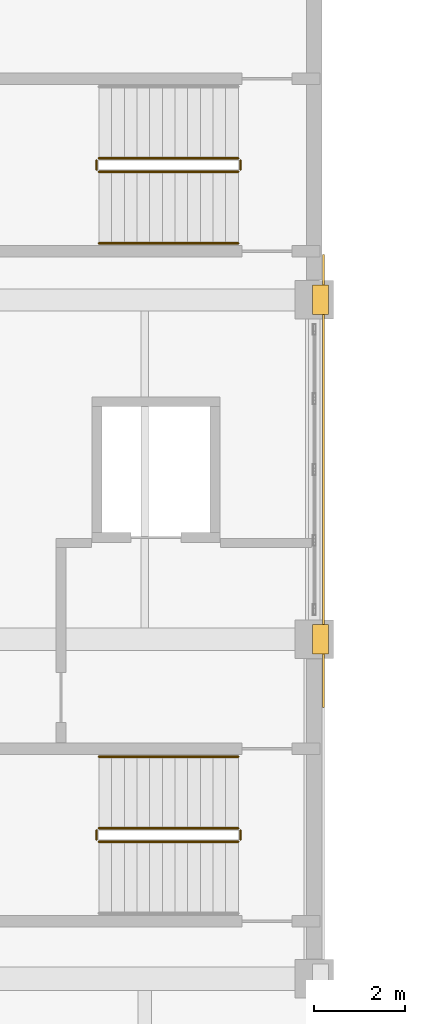
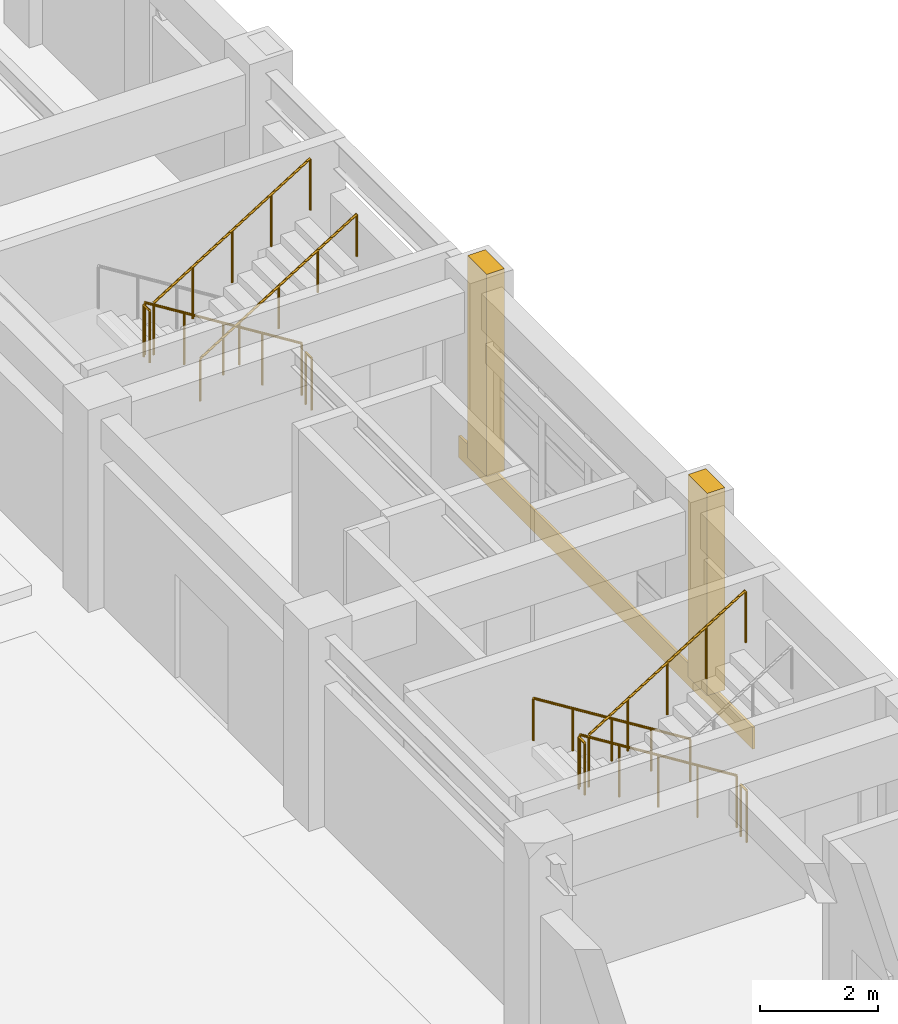
# One storey, part 123 of 132: 10 railings, 3 coverings.
"""IFC4 building model written with IfcOpenShell, lengths in metres."""

from ifc_helpers import new_model, si_unit, direction, frame, origin, origin_2d, place, context, subcontext, project, spatial, rectangle, circle, extrude, material, layer, layer_set, type_object, element, save


model = new_model("IFC4")

# Units and contexts
model_context = context("Model", 3, precision=1e-05, world=origin(), true_north=direction((0.0, 1.0)))
body_context = subcontext(model_context, "Body", "Model", "MODEL_VIEW")
ifc_project = project(units=[si_unit("LENGTHUNIT", "METRE"), si_unit("AREAUNIT", "SQUARE_METRE"), si_unit("VOLUMEUNIT", "CUBIC_METRE"), si_unit("PLANEANGLEUNIT", "RADIAN"), si_unit("MASSUNIT", "GRAM", prefix="KILO")], contexts=[model_context])

# Site, building, storey
site_placement = place(None, origin())
site = spatial("IfcSite", under=ifc_project, at=site_placement, CompositionType="ELEMENT")
building_placement = place(site_placement, origin())
building = spatial("IfcBuilding", under=site, at=building_placement, Name="Qasida Concert Hall", CompositionType="ELEMENT")
storey_placement = place(building_placement, frame((0.0, 0.0, 4.800048828125)))
storey = spatial("IfcBuildingStorey", under=building, at=storey_placement, Name="L01", CompositionType="ELEMENT", Elevation=4.800048828125)

# Coverings
ifc_material_1 = material(Name="Glazed Levantine geometric terracotta spandrel relief", Category="masonry")
ifc_layer_1 = layer(ifc_material_1, 0.050048828125, Name="Glazed Levantine geometric terracotta spandrel relief")
ifc_layer_set_1 = layer_set([ifc_layer_1], Name="Glazed Levantine geometric terracotta spandrel relief")
covering_type_1 = type_object("IfcCoveringType", Name="CV-CL-1", PredefinedType="CLADDING", material=ifc_layer_set_1)
covering_placement = place(storey_placement, frame((105.199951171875, 56.0, -0.47509765625), z_axis=(0.0, 0.0, 1.0), x_axis=(1.0, 0.0, 0.0)))
element("IfcCovering", 1, at=covering_placement, inside=storey, type_object=covering_type_1, Name="L01 terracotta spandrel frieze E01", PredefinedType="CLADDING", context=body_context, shape_type="SweptSolid", body=[
    extrude(rectangle(XDim=0.050048828125, YDim=10.0, at=origin_2d()), origin(), (0.0, 0.0, 1.0), 0.449951171875),
])
ifc_material_2 = material(Name="Projecting fluted Lebanese limestone Art Deco pilaster", Category="masonry")
ifc_layer_2 = layer(ifc_material_2, 0.35009765625, Name="Projecting fluted Lebanese limestone Art Deco pilaster")
ifc_layer_set_2 = layer_set([ifc_layer_2], Name="Projecting fluted Lebanese limestone Art Deco pilaster")
covering_type_2 = type_object("IfcCoveringType", Name="CV-PIL-650", PredefinedType="CLADDING", material=ifc_layer_set_2)
for number, where, z_axis, x_axis, name in (
    (2, (105.135009765625, 52.5, 0.0), (0.0, 0.0, 1.0), (1.0, 0.0, 0.0), "L01 fluted limestone pilaster 0051"),
    (3, (105.135009765625, 60.0, 0.0), (0.0, 0.0, 1.0), (1.0, 0.0, 0.0), "L01 fluted limestone pilaster 0065"),
):
    element("IfcCovering", number, at=place(storey_placement, frame(where, z_axis=z_axis, x_axis=x_axis)), inside=storey, type_object=covering_type_2, Name=name, PredefinedType="CLADDING", context=body_context, shape_type="SweptSolid", body=[
        extrude(rectangle(XDim=0.35009765625, YDim=0.64990234375, at=origin_2d()), origin(), (0.0, 0.0, 1.0), 4.199951171875),
    ])

# Railings
ifc_material_3 = material(Name="Patinated architectural bronze and laminated glass infill", Category="glass")
ifc_layer_3 = layer(ifc_material_3, 0.080078125, Name="Patinated architectural bronze and laminated glass infill")
ifc_layer_set_3 = layer_set([ifc_layer_3], Name="Patinated architectural bronze and laminated glass infill")
railing_type_1 = type_object("IfcRailingType", Name="RL-GRD-1100", PredefinedType="GUARDRAIL", material=ifc_layer_set_3)
railing_1_placement = place(storey_placement, frame((103.320068359375, 48.330078125, 0.175048828125)))
element("IfcRailing", 4, at=railing_1_placement, inside=storey, type_object=railing_type_1, Name="L01 ST-02 stair guard 1", PredefinedType="GUARDRAIL", context=body_context, shape_type="SweptSolid", body=[
    extrude(circle(Radius=0.02392578125, at=origin_2d()), frame((0.0, 0.0, 1.076171875), z_axis=(-0.848028513186, 0.0, 0.529950602248), x_axis=(0.0, -1.0, 0.0)), (0.0, 0.0, 1.0), 3.632080078125),
    extrude(circle(Radius=0.02099609375, at=origin_2d()), origin(), (0.0, 0.0, 1.0), 1.052001953125),
    extrude(circle(Radius=0.02099609375, at=origin_2d()), frame((-0.77001953125, 0.0, 0.481201171875)), (0.0, 0.0, 1.0), 1.052001953125),
    extrude(circle(Radius=0.02099609375, at=origin_2d()), frame((-1.5400390625, 0.0, 0.96240234375)), (0.0, 0.0, 1.0), 1.052001953125),
    extrude(circle(Radius=0.02099609375, at=origin_2d()), frame((-2.31005859375, 0.0, 1.443603515625)), (0.0, 0.0, 1.0), 1.052001953125),
    extrude(circle(Radius=0.02099609375, at=origin_2d()), frame((-3.080078125, 0.0, 1.9248046875)), (0.0, 0.0, 1.0), 1.052001953125),
])
railing_2_placement = place(storey_placement, frame((100.18994140625, 48.280029296875, 2.099853515625)))
element("IfcRailing", 5, at=railing_2_placement, inside=storey, type_object=railing_type_1, Name="L01 ST-02 stair guard 2", PredefinedType="GUARDRAIL", context=body_context, shape_type="SweptSolid", body=[
    extrude(circle(Radius=0.02392578125, at=origin_2d()), frame((0.0, 0.0, 1.076171875), z_axis=(0.0, -1.0, 0.0), x_axis=(1.0, 0.0, 0.0)), (0.0, 0.0, 1.0), 0.199951171875),
    extrude(circle(Radius=0.02099609375, at=origin_2d()), origin(), (0.0, 0.0, 1.0), 1.052001953125),
    extrude(circle(Radius=0.02099609375, at=origin_2d()), frame((0.0, -0.199951171875, 0.0)), (0.0, 0.0, 1.0), 1.052001953125),
])
railing_3_placement = place(storey_placement, frame((100.239990234375, 48.030029296875, 2.27490234375)))
element("IfcRailing", 6, at=railing_3_placement, inside=storey, type_object=railing_type_1, Name="L01 ST-02 stair guard 3", PredefinedType="GUARDRAIL", context=body_context, shape_type="SweptSolid", body=[
    extrude(circle(Radius=0.02392578125, at=origin_2d()), frame((0.0, 0.0, 1.076171875), z_axis=(0.847998304005, 0.0, 0.529998940003), x_axis=(0.0, 1.0, 0.0)), (0.0, 0.0, 1.0), 3.632080078125),
    extrude(circle(Radius=0.02099609375, at=origin_2d()), origin(), (0.0, 0.0, 1.0), 1.052001953125),
    extrude(circle(Radius=0.02099609375, at=origin_2d()), frame((0.77001953125, 0.0, 0.481201171875)), (0.0, 0.0, 1.0), 1.052001953125),
    extrude(circle(Radius=0.02099609375, at=origin_2d()), frame((1.5400390625, 0.0, 0.96240234375)), (0.0, 0.0, 1.0), 1.052001953125),
    extrude(circle(Radius=0.02099609375, at=origin_2d()), frame((2.31005859375, 0.0, 1.44384765625)), (0.0, 0.0, 1.0), 1.052001953125),
    extrude(circle(Radius=0.02099609375, at=origin_2d()), frame((3.080078125, 0.0, 1.925048828125)), (0.0, 0.0, 1.0), 1.052001953125),
])
railing_4_placement = place(storey_placement, frame((103.3701171875, 48.280029296875, 0.0)))
element("IfcRailing", 7, at=railing_4_placement, inside=storey, type_object=railing_type_1, Name="L01 ST-02 stair guard 4", PredefinedType="GUARDRAIL", context=body_context, shape_type="SweptSolid", body=[
    extrude(circle(Radius=0.02392578125, at=origin_2d()), frame((0.0, 0.0, 1.076171875), z_axis=(0.0, -1.0, 0.0), x_axis=(1.0, 0.0, 0.0)), (0.0, 0.0, 1.0), 0.199951171875),
    extrude(circle(Radius=0.02099609375, at=origin_2d()), origin(), (0.0, 0.0, 1.0), 1.052001953125),
    extrude(circle(Radius=0.02099609375, at=origin_2d()), frame((0.0, -0.199951171875, 0.0)), (0.0, 0.0, 1.0), 1.052001953125),
])
railing_5_placement = place(storey_placement, frame((103.320068359375, 63.1298828125, 0.175048828125)))
element("IfcRailing", 8, at=railing_5_placement, inside=storey, type_object=railing_type_1, Name="L01 ST-12 stair guard 1", PredefinedType="GUARDRAIL", context=body_context, shape_type="SweptSolid", body=[
    extrude(circle(Radius=0.02392578125, at=origin_2d()), frame((0.0, 0.0, 1.076171875), z_axis=(-0.848028513186, 0.0, 0.529950602248), x_axis=(0.0, -1.0, 0.0)), (0.0, 0.0, 1.0), 3.632080078125),
    extrude(circle(Radius=0.02099609375, at=origin_2d()), origin(), (0.0, 0.0, 1.0), 1.052001953125),
    extrude(circle(Radius=0.02099609375, at=origin_2d()), frame((-0.77001953125, 0.0, 0.481201171875)), (0.0, 0.0, 1.0), 1.052001953125),
    extrude(circle(Radius=0.02099609375, at=origin_2d()), frame((-1.5400390625, 0.0, 0.96240234375)), (0.0, 0.0, 1.0), 1.052001953125),
    extrude(circle(Radius=0.02099609375, at=origin_2d()), frame((-2.31005859375, 0.0, 1.443603515625)), (0.0, 0.0, 1.0), 1.052001953125),
    extrude(circle(Radius=0.02099609375, at=origin_2d()), frame((-3.080078125, 0.0, 1.9248046875)), (0.0, 0.0, 1.0), 1.052001953125),
])
railing_6_placement = place(storey_placement, frame((100.18994140625, 63.080078125, 2.099853515625)))
element("IfcRailing", 9, at=railing_6_placement, inside=storey, type_object=railing_type_1, Name="L01 ST-12 stair guard 2", PredefinedType="GUARDRAIL", context=body_context, shape_type="SweptSolid", body=[
    extrude(circle(Radius=0.02392578125, at=origin_2d()), frame((0.0, 0.0, 1.076171875), z_axis=(0.0, -1.0, 0.0), x_axis=(1.0, 0.0, 0.0)), (0.0, 0.0, 1.0), 0.2001953125),
    extrude(circle(Radius=0.02099609375, at=origin_2d()), origin(), (0.0, 0.0, 1.0), 1.052001953125),
    extrude(circle(Radius=0.02099609375, at=origin_2d()), frame((0.0, -0.2001953125, 0.0)), (0.0, 0.0, 1.0), 1.052001953125),
])
railing_7_placement = place(storey_placement, frame((100.239990234375, 62.830078125, 2.27490234375)))
element("IfcRailing", 10, at=railing_7_placement, inside=storey, type_object=railing_type_1, Name="L01 ST-12 stair guard 3", PredefinedType="GUARDRAIL", context=body_context, shape_type="SweptSolid", body=[
    extrude(circle(Radius=0.02392578125, at=origin_2d()), frame((0.0, 0.0, 1.076171875), z_axis=(0.847998304005, 0.0, 0.529998940003), x_axis=(0.0, 1.0, 0.0)), (0.0, 0.0, 1.0), 3.632080078125),
    extrude(circle(Radius=0.02099609375, at=origin_2d()), origin(), (0.0, 0.0, 1.0), 1.052001953125),
    extrude(circle(Radius=0.02099609375, at=origin_2d()), frame((0.77001953125, 0.0, 0.481201171875)), (0.0, 0.0, 1.0), 1.052001953125),
    extrude(circle(Radius=0.02099609375, at=origin_2d()), frame((1.5400390625, 0.0, 0.96240234375)), (0.0, 0.0, 1.0), 1.052001953125),
    extrude(circle(Radius=0.02099609375, at=origin_2d()), frame((2.31005859375, 0.0, 1.44384765625)), (0.0, 0.0, 1.0), 1.052001953125),
    extrude(circle(Radius=0.02099609375, at=origin_2d()), frame((3.080078125, 0.0, 1.925048828125)), (0.0, 0.0, 1.0), 1.052001953125),
])
railing_8_placement = place(storey_placement, frame((103.3701171875, 63.080078125, 0.0)))
element("IfcRailing", 11, at=railing_8_placement, inside=storey, type_object=railing_type_1, Name="L01 ST-12 stair guard 4", PredefinedType="GUARDRAIL", context=body_context, shape_type="SweptSolid", body=[
    extrude(circle(Radius=0.02392578125, at=origin_2d()), frame((0.0, 0.0, 1.076171875), z_axis=(0.0, -1.0, 0.0), x_axis=(1.0, 0.0, 0.0)), (0.0, 0.0, 1.0), 0.2001953125),
    extrude(circle(Radius=0.02099609375, at=origin_2d()), origin(), (0.0, 0.0, 1.0), 1.052001953125),
    extrude(circle(Radius=0.02099609375, at=origin_2d()), frame((0.0, -0.2001953125, 0.0)), (0.0, 0.0, 1.0), 1.052001953125),
])
ifc_material_4 = material(Name="Patinated tubular architectural bronze", Category="steel")
ifc_layer_4 = layer(ifc_material_4, 0.050048828125, Name="Patinated tubular architectural bronze")
ifc_layer_set_4 = layer_set([ifc_layer_4], Name="Patinated tubular architectural bronze")
railing_type_2 = type_object("IfcRailingType", Name="RL-HND-900", PredefinedType="HANDRAIL", material=ifc_layer_set_4)
railing_9_placement = place(storey_placement, frame((103.320068359375, 49.909912109375, 0.175048828125)))
element("IfcRailing", 12, at=railing_9_placement, inside=storey, type_object=railing_type_2, Name="L01 ST-02 stair handrail 1", PredefinedType="HANDRAIL", context=body_context, shape_type="SweptSolid", body=[
    extrude(circle(Radius=0.02392578125, at=origin_2d()), frame((0.0, 0.0, 0.8759765625), z_axis=(-0.848028513186, 0.0, 0.529950602248), x_axis=(0.0, -1.0, 0.0)), (0.0, 0.0, 1.0), 3.632080078125),
    extrude(circle(Radius=0.02099609375, at=origin_2d()), origin(), (0.0, 0.0, 1.0), 0.851806640625),
    extrude(circle(Radius=0.02099609375, at=origin_2d()), frame((-0.77001953125, 0.0, 0.481201171875)), (0.0, 0.0, 1.0), 0.851806640625),
    extrude(circle(Radius=0.02099609375, at=origin_2d()), frame((-1.5400390625, 0.0, 0.96240234375)), (0.0, 0.0, 1.0), 0.851806640625),
    extrude(circle(Radius=0.02099609375, at=origin_2d()), frame((-2.31005859375, 0.0, 1.443603515625)), (0.0, 0.0, 1.0), 0.851806640625),
    extrude(circle(Radius=0.02099609375, at=origin_2d()), frame((-3.080078125, 0.0, 1.9248046875)), (0.0, 0.0, 1.0), 0.851806640625),
])
railing_10_placement = place(storey_placement, frame((100.239990234375, 61.25, 2.27490234375)))
element("IfcRailing", 13, at=railing_10_placement, inside=storey, type_object=railing_type_2, Name="L01 ST-12 stair handrail 2", PredefinedType="HANDRAIL", context=body_context, shape_type="SweptSolid", body=[
    extrude(circle(Radius=0.02392578125, at=origin_2d()), frame((0.0, 0.0, 0.8759765625), z_axis=(0.847998304005, 0.0, 0.529998940003), x_axis=(0.0, 1.0, 0.0)), (0.0, 0.0, 1.0), 3.632080078125),
    extrude(circle(Radius=0.02099609375, at=origin_2d()), origin(), (0.0, 0.0, 1.0), 0.851806640625),
    extrude(circle(Radius=0.02099609375, at=origin_2d()), frame((0.77001953125, 0.0, 0.481201171875)), (0.0, 0.0, 1.0), 0.851806640625),
    extrude(circle(Radius=0.02099609375, at=origin_2d()), frame((1.5400390625, 0.0, 0.96240234375)), (0.0, 0.0, 1.0), 0.851806640625),
    extrude(circle(Radius=0.02099609375, at=origin_2d()), frame((2.31005859375, 0.0, 1.44384765625)), (0.0, 0.0, 1.0), 0.851806640625),
    extrude(circle(Radius=0.02099609375, at=origin_2d()), frame((3.080078125, 0.0, 1.925048828125)), (0.0, 0.0, 1.0), 0.851806640625),
])

save(model, "model.ifc")
